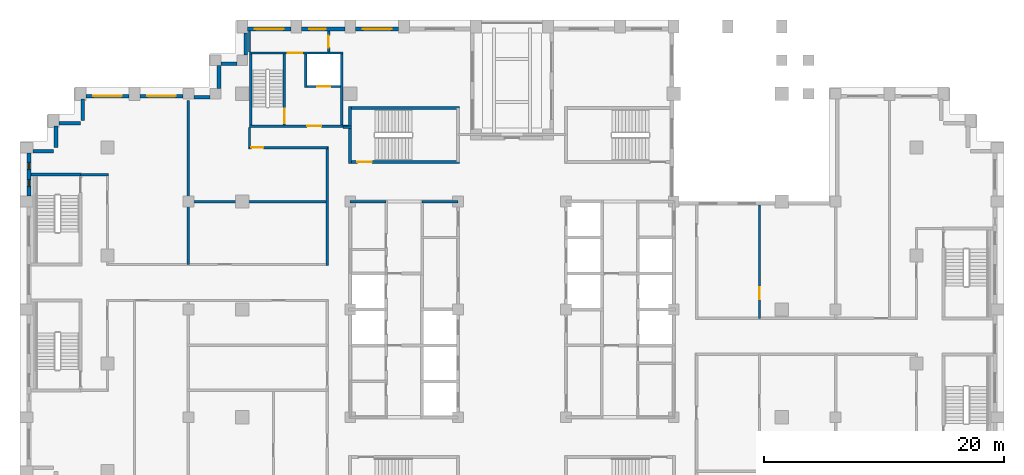
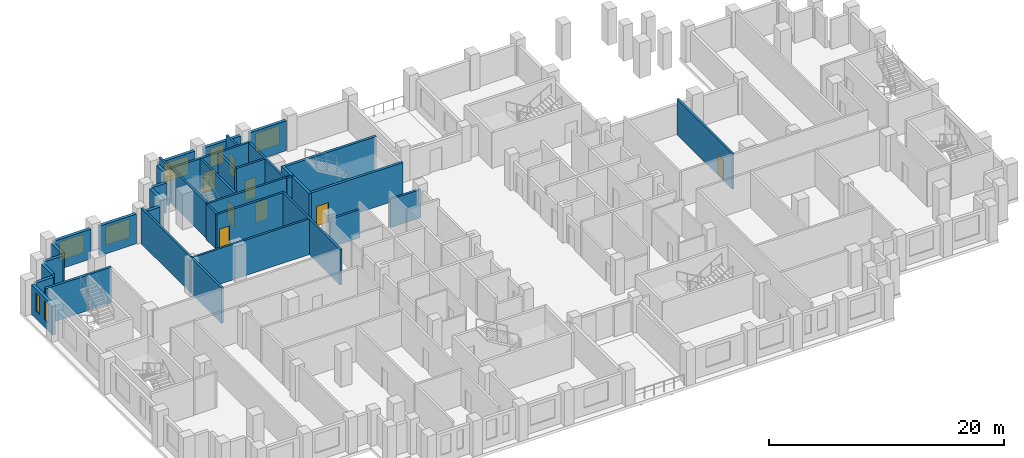
# One storey, part 6 of 12: 37 walls, 8 doors, 7 windows, 15 openings.
"""IFC4 building model written with IfcOpenShell, lengths in metres."""

from ifc_helpers import new_model, si_unit, direction, frame, frame_2d, origin, place, context, subcontext, project, spatial, rectangle, extrude, material, layer, layer_set, type_object, element, fill, save


model = new_model("IFC4")

# Units and contexts
model_context = context("Model", 3, precision=1e-05, world=origin(), true_north=direction((0.0, 1.0)))
body_context = subcontext(model_context, "Body", "Model", "MODEL_VIEW")
ifc_project = project(units=[si_unit("LENGTHUNIT", "METRE"), si_unit("AREAUNIT", "SQUARE_METRE"), si_unit("VOLUMEUNIT", "CUBIC_METRE"), si_unit("PLANEANGLEUNIT", "RADIAN"), si_unit("MASSUNIT", "GRAM", prefix="KILO")], contexts=[model_context])

# Site, building, storey
site_placement = place(None, origin())
site = spatial("IfcSite", under=ifc_project, at=site_placement, CompositionType="ELEMENT")
building_placement = place(site_placement, origin())
building = spatial("IfcBuilding", under=site, at=building_placement, Name="Corbelhall Arena Tower", CompositionType="ELEMENT")
storey_placement = place(building_placement, frame((0.0, 0.0, 126.0)))
storey = spatial("IfcBuildingStorey", under=building, at=storey_placement, Name="L23", CompositionType="ELEMENT", Elevation=126.0)

# Walls
ifc_material_1 = material(Name="Precast concrete C40/50 with granite facing", Category="masonry")
ifc_layer_1 = layer(ifc_material_1, 0.300048828125)
ifc_layer_set_1 = layer_set([ifc_layer_1], Name="EV-IW1 Infill panel 300")
wall_type_1 = type_object("IfcWallType", Name="EV-IW1 Infill panel 300", PredefinedType="SOLIDWALL", material=ifc_layer_set_1)
for number, where, z_axis, x_axis, name in (
    (1, (-35.800048828125, 17.550048828125, 0.0), (0.0, 0.0, 1.0), (0.0, -1.0, 0.0), "Infill panel IW1"),
    (2, (-37.800048828125, 15.550048828125, 0.0), (0.0, 0.0, 1.0), (1.0, 0.0, 0.0), "Infill panel IW1"),
    (3, (-38.050048828125, 15.300048828125, 0.0), (0.0, 0.0, 1.0), (0.0, -1.0, 0.0), "Infill panel IW1"),
):
    element("IfcWall", number, at=place(storey_placement, frame(where, z_axis=z_axis, x_axis=x_axis)), inside=storey, type_object=wall_type_1, Name=name, PredefinedType="SOLIDWALL", context=body_context, shape_type="SweptSolid", body=[
        extrude(rectangle(XDim=1.800048828125, YDim=0.300048828125, at=frame_2d((0.89990234375, 0.0))), origin(), (0.0, 0.0, 1.0), 3.10009765625),
    ])
wall_1_placement = place(storey_placement, frame((-39.949951171875, 13.199951171875, 0.0), z_axis=(0.0, 0.0, 1.0), x_axis=(1.0, 0.0, 0.0)))
element("IfcWall", 4, at=wall_1_placement, inside=storey, type_object=wall_type_1, Name="Infill panel IW1", PredefinedType="SOLIDWALL", context=body_context, shape_type="SweptSolid", body=[
    extrude(rectangle(XDim=1.699951171875, YDim=0.300048828125, at=frame_2d((0.85009765625, 0.0))), origin(), (0.0, 0.0, 1.0), 3.10009765625),
])
wall_2_placement = place(storey_placement, frame((-22.199951171875, 23.050048828125, 0.0), z_axis=(0.0, 0.0, 1.0), x_axis=(0.0, -1.0, 0.0)))
element("IfcWall", 5, at=wall_2_placement, inside=storey, type_object=wall_type_1, Name="Infill panel IW1", PredefinedType="SOLIDWALL", context=body_context, shape_type="SweptSolid", body=[
    extrude(rectangle(XDim=1.800048828125, YDim=0.300048828125, at=frame_2d((0.89990234375, 0.0))), origin(), (0.0, 0.0, 1.0), 3.10009765625),
])
wall_3_placement = place(storey_placement, frame((-22.949951171875, 20.5, 0.0), z_axis=(0.0, 0.0, 1.0), x_axis=(-1.0, 0.0, 0.0)))
element("IfcWall", 6, at=wall_3_placement, inside=storey, type_object=wall_type_1, Name="Infill panel IW1", PredefinedType="SOLIDWALL", context=body_context, shape_type="SweptSolid", body=[
    extrude(rectangle(XDim=1.35009765625, YDim=0.300048828125, at=frame_2d((0.675048828125, 0.0))), origin(), (0.0, 0.0, 1.0), 3.10009765625),
])
wall_4_placement = place(storey_placement, frame((-24.449951171875, 20.35009765625, 0.0), z_axis=(0.0, 0.0, 1.0), x_axis=(0.0, -1.0, 0.0)))
element("IfcWall", 7, at=wall_4_placement, inside=storey, type_object=wall_type_1, Name="Infill panel IW1", PredefinedType="SOLIDWALL", context=body_context, shape_type="SweptSolid", body=[
    extrude(rectangle(XDim=1.900146484375, YDim=0.300048828125, at=frame_2d((0.9501953125, 0.0))), origin(), (0.0, 0.0, 1.0), 3.10009765625),
])
wall_5_placement = place(storey_placement, frame((-25.199951171875, 17.699951171875, 0.0), z_axis=(0.0, 0.0, 1.0), x_axis=(-1.0, 0.0, 0.0)))
element("IfcWall", 8, at=wall_5_placement, inside=storey, type_object=wall_type_1, Name="Infill panel IW1", PredefinedType="SOLIDWALL", context=body_context, shape_type="SweptSolid", body=[
    extrude(rectangle(XDim=1.35009765625, YDim=0.300048828125, at=frame_2d((0.675048828125, 0.0))), origin(), (0.0, 0.0, 1.0), 3.10009765625),
])

# Wall, opening, window
wall_6_placement = place(storey_placement, frame((-27.449951171875, 17.800048828125, 0.0), z_axis=(0.0, 0.0, 1.0), x_axis=(-1.0, 0.0, 0.0)))
wall_6 = element("IfcWall", 9, at=wall_6_placement, inside=storey, type_object=wall_type_1, Name="Infill panel IW1", PredefinedType="SOLIDWALL", context=body_context, shape_type="SweptSolid", body=[
    extrude(rectangle(XDim=3.60009765625, YDim=0.300048828125, at=frame_2d((1.800048828125, 0.0))), origin(), (0.0, 0.0, 1.0), 3.10009765625),
])
opening_1_placement = place(wall_6_placement, frame((0.60009765625, 0.0, 0.800048828125)))
opening_1 = element("IfcOpeningElement", 10, at=opening_1_placement, cuts=wall_6, Name="Opening WN1", PredefinedType="OPENING", context=body_context, shape_type="SweptSolid", body=[
    extrude(rectangle(XDim=2.39990234375, YDim=1.949951171875, at=frame_2d((1.199951171875, 0.97509765625))), frame((0.0, 0.14990234375, 0.0), z_axis=(0.0, -1.0, 0.0), x_axis=(1.0, 0.0, 0.0)), (0.0, 0.0, 1.0), 0.300048828125),
])
ifc_material_2 = material(Name="Aluminium black anodised", Category="aluminium")
window_type_1 = type_object("IfcWindowType", Name="EV-WN1 Office window", PartitioningType="SINGLE_PANEL", PredefinedType="WINDOW", material=ifc_material_2)
window_1_placement = place(opening_1_placement, origin())
window_1 = element("IfcWindow", 11, at=window_1_placement, inside=storey, type_object=window_type_1, Name="Window WN1", OverallHeight=1.949951171875, OverallWidth=2.39990234375, PartitioningType="SINGLE_PANEL", PredefinedType="WINDOW", context=body_context, shape_type="SweptSolid", body=[
    extrude(rectangle(XDim=2.39990234375, YDim=1.949951171875, at=frame_2d((1.199951171875, 0.97509765625))), frame((0.0, 0.030029296875, 0.0), z_axis=(0.0, -1.0, 0.0), x_axis=(1.0, 0.0, 0.0)), (0.0, 0.0, 1.0), 0.06005859375),
])
fill(opening_1, window_1)

wall_7_placement = place(storey_placement, frame((-31.949951171875, 17.800048828125, 0.0), z_axis=(0.0, 0.0, 1.0), x_axis=(-1.0, 0.0, 0.0)))
wall_7 = element("IfcWall", 12, at=wall_7_placement, inside=storey, type_object=wall_type_1, Name="Infill panel IW1", PredefinedType="SOLIDWALL", context=body_context, shape_type="SweptSolid", body=[
    extrude(rectangle(XDim=3.60009765625, YDim=0.300048828125, at=frame_2d((1.800048828125, 0.0))), origin(), (0.0, 0.0, 1.0), 3.10009765625),
])
opening_2_placement = place(wall_7_placement, frame((0.60009765625, 0.0, 0.800048828125)))
opening_2 = element("IfcOpeningElement", 13, at=opening_2_placement, cuts=wall_7, Name="Opening WN1", PredefinedType="OPENING", context=body_context, shape_type="SweptSolid", body=[
    extrude(rectangle(XDim=2.39990234375, YDim=1.949951171875, at=frame_2d((1.199951171875, 0.97509765625))), frame((0.0, 0.14990234375, 0.0), z_axis=(0.0, -1.0, 0.0), x_axis=(1.0, 0.0, 0.0)), (0.0, 0.0, 1.0), 0.300048828125),
])
window_2_placement = place(opening_2_placement, origin())
window_2 = element("IfcWindow", 14, at=window_2_placement, inside=storey, type_object=window_type_1, Name="Window WN1", OverallHeight=1.949951171875, OverallWidth=2.39990234375, PartitioningType="SINGLE_PANEL", PredefinedType="WINDOW", context=body_context, shape_type="SweptSolid", body=[
    extrude(rectangle(XDim=2.39990234375, YDim=1.949951171875, at=frame_2d((1.199951171875, 0.97509765625))), frame((0.0, 0.030029296875, 0.0), z_axis=(0.0, -1.0, 0.0), x_axis=(1.0, 0.0, 0.0)), (0.0, 0.0, 1.0), 0.06005859375),
])
fill(opening_2, window_2)

# Wall, openings, windows
wall_8_placement = place(storey_placement, frame((-40.300048828125, 13.050048828125, 0.0), z_axis=(0.0, 0.0, 1.0), x_axis=(0.0, -1.0, 0.0)))
wall_8 = element("IfcWall", 15, at=wall_8_placement, inside=storey, type_object=wall_type_1, Name="Infill panel IW1", PredefinedType="SOLIDWALL", context=body_context, shape_type="SweptSolid", body=[
    extrude(rectangle(XDim=3.60009765625, YDim=0.300048828125, at=frame_2d((1.800048828125, 0.0))), origin(), (0.0, 0.0, 1.0), 3.10009765625),
])
opening_3_placement = place(wall_8_placement, frame((0.78759765625, 0.0, 0.800048828125)))
opening_3 = element("IfcOpeningElement", 16, at=opening_3_placement, cuts=wall_8, Name="Opening WN5", PredefinedType="OPENING", context=body_context, shape_type="SweptSolid", body=[
    extrude(rectangle(XDim=0.60009765625, YDim=1.949951171875, at=frame_2d((0.300048828125, 0.97509765625))), frame((0.0, 0.14990234375, 0.0), z_axis=(0.0, -1.0, 0.0), x_axis=(1.0, 0.0, 0.0)), (0.0, 0.0, 1.0), 0.300048828125),
])
opening_4_placement = place(wall_8_placement, frame((2.21240234375, 0.0, 0.800048828125)))
opening_4 = element("IfcOpeningElement", 17, at=opening_4_placement, cuts=wall_8, Name="Opening WN5", PredefinedType="OPENING", context=body_context, shape_type="SweptSolid", body=[
    extrude(rectangle(XDim=0.60009765625, YDim=1.949951171875, at=frame_2d((0.300048828125, 0.97509765625))), frame((0.0, 0.14990234375, 0.0), z_axis=(0.0, -1.0, 0.0), x_axis=(1.0, 0.0, 0.0)), (0.0, 0.0, 1.0), 0.300048828125),
])
window_type_2 = type_object("IfcWindowType", Name="EV-WN5 Office window 600", PartitioningType="SINGLE_PANEL", PredefinedType="WINDOW", material=ifc_material_2)
window_3_placement = place(opening_3_placement, origin())
window_3 = element("IfcWindow", 18, at=window_3_placement, inside=storey, type_object=window_type_2, Name="Window WN5", OverallHeight=1.949951171875, OverallWidth=0.60009765625, PartitioningType="SINGLE_PANEL", PredefinedType="WINDOW", context=body_context, shape_type="SweptSolid", body=[
    extrude(rectangle(XDim=0.60009765625, YDim=1.949951171875, at=frame_2d((0.300048828125, 0.97509765625))), frame((0.0, 0.030029296875, 0.0), z_axis=(0.0, -1.0, 0.0), x_axis=(1.0, 0.0, 0.0)), (0.0, 0.0, 1.0), 0.06005859375),
])
fill(opening_3, window_3)
window_4_placement = place(opening_4_placement, origin())
window_4 = element("IfcWindow", 19, at=window_4_placement, inside=storey, type_object=window_type_2, Name="Window WN5", OverallHeight=1.949951171875, OverallWidth=0.60009765625, PartitioningType="SINGLE_PANEL", PredefinedType="WINDOW", context=body_context, shape_type="SweptSolid", body=[
    extrude(rectangle(XDim=0.60009765625, YDim=1.949951171875, at=frame_2d((0.300048828125, 0.97509765625))), frame((0.0, 0.030029296875, 0.0), z_axis=(0.0, -1.0, 0.0), x_axis=(1.0, 0.0, 0.0)), (0.0, 0.0, 1.0), 0.06005859375),
])
fill(opening_4, window_4)

# Wall, opening, window
wall_9_placement = place(storey_placement, frame((-9.449951171875, 23.39990234375, 0.0), z_axis=(0.0, 0.0, 1.0), x_axis=(-1.0, 0.0, 0.0)))
wall_9 = element("IfcWall", 20, at=wall_9_placement, inside=storey, type_object=wall_type_1, Name="Infill panel IW1", PredefinedType="SOLIDWALL", context=body_context, shape_type="SweptSolid", body=[
    extrude(rectangle(XDim=3.60009765625, YDim=0.300048828125, at=frame_2d((1.800048828125, 0.0))), origin(), (0.0, 0.0, 1.0), 3.10009765625),
])
opening_5_placement = place(wall_9_placement, frame((0.60009765625, 0.0, 0.800048828125)))
opening_5 = element("IfcOpeningElement", 21, at=opening_5_placement, cuts=wall_9, Name="Opening WN1", PredefinedType="OPENING", context=body_context, shape_type="SweptSolid", body=[
    extrude(rectangle(XDim=2.39990234375, YDim=1.949951171875, at=frame_2d((1.199951171875, 0.97509765625))), frame((0.0, 0.14990234375, 0.0), z_axis=(0.0, -1.0, 0.0), x_axis=(1.0, 0.0, 0.0)), (0.0, 0.0, 1.0), 0.300048828125),
])
window_5_placement = place(opening_5_placement, origin())
window_5 = element("IfcWindow", 22, at=window_5_placement, inside=storey, type_object=window_type_1, Name="Window WN1", OverallHeight=1.949951171875, OverallWidth=2.39990234375, PartitioningType="SINGLE_PANEL", PredefinedType="WINDOW", context=body_context, shape_type="SweptSolid", body=[
    extrude(rectangle(XDim=2.39990234375, YDim=1.949951171875, at=frame_2d((1.199951171875, 0.97509765625))), frame((0.0, 0.030029296875, 0.0), z_axis=(0.0, -1.0, 0.0), x_axis=(1.0, 0.0, 0.0)), (0.0, 0.0, 1.0), 0.06005859375),
])
fill(opening_5, window_5)

wall_10_placement = place(storey_placement, frame((-13.949951171875, 23.39990234375, 0.0), z_axis=(0.0, 0.0, 1.0), x_axis=(-1.0, 0.0, 0.0)))
wall_10 = element("IfcWall", 23, at=wall_10_placement, inside=storey, type_object=wall_type_1, Name="Infill panel IW1", PredefinedType="SOLIDWALL", context=body_context, shape_type="SweptSolid", body=[
    extrude(rectangle(XDim=3.60009765625, YDim=0.300048828125, at=frame_2d((1.800048828125, 0.0))), origin(), (0.0, 0.0, 1.0), 3.10009765625),
])
opening_6_placement = place(wall_10_placement, frame((1.574951171875, 0.0, 0.800048828125)))
opening_6 = element("IfcOpeningElement", 24, at=opening_6_placement, cuts=wall_10, Name="Opening WN7", PredefinedType="OPENING", context=body_context, shape_type="SweptSolid", body=[
    extrude(rectangle(XDim=1.39990234375, YDim=1.949951171875, at=frame_2d((0.699951171875, 0.97509765625))), frame((0.0, 0.14990234375, 0.0), z_axis=(0.0, -1.0, 0.0), x_axis=(1.0, 0.0, 0.0)), (0.0, 0.0, 1.0), 0.300048828125),
])
window_type_3 = type_object("IfcWindowType", Name="EV-WN7 Office window 1400", PartitioningType="SINGLE_PANEL", PredefinedType="WINDOW", material=ifc_material_2)
window_6_placement = place(opening_6_placement, origin())
window_6 = element("IfcWindow", 25, at=window_6_placement, inside=storey, type_object=window_type_3, Name="Window WN7", OverallHeight=1.949951171875, OverallWidth=1.39990234375, PartitioningType="SINGLE_PANEL", PredefinedType="WINDOW", context=body_context, shape_type="SweptSolid", body=[
    extrude(rectangle(XDim=1.39990234375, YDim=1.949951171875, at=frame_2d((0.699951171875, 0.97509765625))), frame((0.0, 0.030029296875, 0.0), z_axis=(0.0, -1.0, 0.0), x_axis=(1.0, 0.0, 0.0)), (0.0, 0.0, 1.0), 0.06005859375),
])
fill(opening_6, window_6)

wall_11_placement = place(storey_placement, frame((-18.449951171875, 23.39990234375, 0.0), z_axis=(0.0, 0.0, 1.0), x_axis=(-1.0, 0.0, 0.0)))
wall_11 = element("IfcWall", 26, at=wall_11_placement, inside=storey, type_object=wall_type_1, Name="Infill panel IW1", PredefinedType="SOLIDWALL", context=body_context, shape_type="SweptSolid", body=[
    extrude(rectangle(XDim=3.60009765625, YDim=0.300048828125, at=frame_2d((1.800048828125, 0.0))), origin(), (0.0, 0.0, 1.0), 3.10009765625),
])
opening_7_placement = place(wall_11_placement, frame((0.60009765625, 0.0, 0.800048828125)))
opening_7 = element("IfcOpeningElement", 27, at=opening_7_placement, cuts=wall_11, Name="Opening WN1", PredefinedType="OPENING", context=body_context, shape_type="SweptSolid", body=[
    extrude(rectangle(XDim=2.39990234375, YDim=1.949951171875, at=frame_2d((1.199951171875, 0.97509765625))), frame((0.0, 0.14990234375, 0.0), z_axis=(0.0, -1.0, 0.0), x_axis=(1.0, 0.0, 0.0)), (0.0, 0.0, 1.0), 0.300048828125),
])
window_7_placement = place(opening_7_placement, origin())
window_7 = element("IfcWindow", 28, at=window_7_placement, inside=storey, type_object=window_type_1, Name="Window WN1", OverallHeight=1.949951171875, OverallWidth=2.39990234375, PartitioningType="SINGLE_PANEL", PredefinedType="WINDOW", context=body_context, shape_type="SweptSolid", body=[
    extrude(rectangle(XDim=2.39990234375, YDim=1.949951171875, at=frame_2d((1.199951171875, 0.97509765625))), frame((0.0, 0.030029296875, 0.0), z_axis=(0.0, -1.0, 0.0), x_axis=(1.0, 0.0, 0.0)), (0.0, 0.0, 1.0), 0.06005859375),
])
fill(opening_7, window_7)

# Walls
ifc_material_3 = material(Name="Gypsum board on steel stud, acoustic", Category="steel")
ifc_layer_2 = layer(ifc_material_3, 0.199951171875)
ifc_layer_set_2 = layer_set([ifc_layer_2], Name="IN-W-DM200")
wall_type_2 = type_object("IfcWallType", Name="IN-W-DM200", PredefinedType="PARTITIONING", material=ifc_layer_set_2)
wall_12_placement = place(storey_placement, frame((-36.0, 11.25, 0.0), z_axis=(0.0, 0.0, 1.0), x_axis=(1.0, 0.0, 0.0)))
element("IfcWall", 29, at=wall_12_placement, inside=storey, type_object=wall_type_2, Name="Partition 001", PredefinedType="PARTITIONING", context=body_context, shape_type="SweptSolid", body=[
    extrude(rectangle(XDim=2.35009765625, YDim=0.199951171875, at=frame_2d((1.175048828125, 0.0))), origin(), (0.0, 0.0, 1.0), 3.699951171875),
])
wall_13_placement = place(storey_placement, frame((-27.10009765625, 9.0, 0.0), z_axis=(0.0, 0.0, 1.0), x_axis=(1.0, 0.0, 0.0)))
element("IfcWall", 30, at=wall_13_placement, inside=storey, type_object=wall_type_2, Name="Partition 010", PredefinedType="PARTITIONING", context=body_context, shape_type="SweptSolid", body=[
    extrude(rectangle(XDim=11.7001953125, YDim=0.199951171875, at=frame_2d((5.85009765625, 0.0))), origin(), (0.0, 0.0, 1.0), 3.699951171875),
])
wall_14_placement = place(storey_placement, frame((-27.0, 3.75, 0.0), z_axis=(0.0, 0.0, 1.0), x_axis=(0.0, 1.0, 0.0)))
element("IfcWall", 31, at=wall_14_placement, inside=storey, type_object=wall_type_2, Name="Partition 012", PredefinedType="PARTITIONING", context=body_context, shape_type="SweptSolid", body=[
    extrude(rectangle(XDim=13.699951171875, YDim=0.199951171875, at=frame_2d((6.85009765625, 0.0))), origin(), (0.0, 0.0, 1.0), 3.699951171875),
])
wall_15_placement = place(storey_placement, frame((-21.89990234375, 13.5, 0.0), z_axis=(0.0, 0.0, 1.0), x_axis=(0.0, 1.0, 0.0)))
element("IfcWall", 32, at=wall_15_placement, inside=storey, type_object=wall_type_2, Name="Partition 013", PredefinedType="PARTITIONING", context=body_context, shape_type="SweptSolid", body=[
    extrude(rectangle(XDim=1.699951171875, YDim=0.199951171875, at=frame_2d((0.85009765625, 0.0))), origin(), (0.0, 0.0, 1.0), 3.699951171875),
])
wall_16_placement = place(storey_placement, frame((-21.89990234375, 21.5, 0.0), z_axis=(0.0, 0.0, 1.0), x_axis=(0.0, 1.0, 0.0)))
element("IfcWall", 33, at=wall_16_placement, inside=storey, type_object=wall_type_2, Name="Partition 014", PredefinedType="PARTITIONING", context=body_context, shape_type="SweptSolid", body=[
    extrude(rectangle(XDim=1.75, YDim=0.199951171875, at=frame_2d((0.875, 0.0))), origin(), (0.0, 0.0, 1.0), 3.699951171875),
])
wall_17_placement = place(storey_placement, frame((-15.39990234375, 3.64990234375, 0.0), z_axis=(0.0, 0.0, 1.0), x_axis=(0.0, 1.0, 0.0)))
element("IfcWall", 34, at=wall_17_placement, inside=storey, type_object=wall_type_2, Name="Partition 018", PredefinedType="PARTITIONING", context=body_context, shape_type="SweptSolid", body=[
    extrude(rectangle(XDim=9.9501953125, YDim=0.199951171875, at=frame_2d((4.97509765625, 0.0))), origin(), (0.0, 0.0, 1.0), 3.699951171875),
])

# Wall, opening, door
wall_18_placement = place(storey_placement, frame((-15.39990234375, 13.5, 0.0), z_axis=(0.0, 0.0, 1.0), x_axis=(-1.0, 0.0, 0.0)))
wall_18 = element("IfcWall", 35, at=wall_18_placement, inside=storey, type_object=wall_type_2, Name="Partition 019", PredefinedType="PARTITIONING", context=body_context, shape_type="SweptSolid", body=[
    extrude(rectangle(XDim=6.60009765625, YDim=0.199951171875, at=frame_2d((3.300048828125, 0.0))), origin(), (0.0, 0.0, 1.0), 3.699951171875),
])
opening_8_placement = place(wall_18_placement, frame((5.35009765625, 0.0, 0.0)))
opening_8 = element("IfcOpeningElement", 36, at=opening_8_placement, cuts=wall_18, Name="Opening 06027", PredefinedType="OPENING", context=body_context, shape_type="SweptSolid", body=[
    extrude(rectangle(XDim=1.0, YDim=2.10009765625, at=frame_2d((0.5, 1.050048828125))), frame((0.0, 0.10009765625, 0.0), z_axis=(0.0, -1.0, 0.0), x_axis=(1.0, 0.0, 0.0)), (0.0, 0.0, 1.0), 0.199951171875),
])
ifc_material_4 = material(Name="Steel door set", Category="steel")
door_type_1 = type_object("IfcDoorType", Name="IN-D-SW100", OperationType="NOTDEFINED", PredefinedType="DOOR", material=ifc_material_4)
door_1_placement = place(opening_8_placement, origin())
door_1 = element("IfcDoor", 37, at=door_1_placement, inside=storey, type_object=door_type_1, Name="Door 027", OperationType="SINGLE_SWING_RIGHT", OverallHeight=2.10009765625, OverallWidth=1.0, PredefinedType="DOOR", context=body_context, shape_type="SweptSolid", body=[
    extrude(rectangle(XDim=1.0, YDim=2.10009765625, at=frame_2d((0.5, 1.050048828125))), frame((0.0, 0.02490234375, 0.0), z_axis=(0.0, -1.0, 0.0), x_axis=(1.0, 0.0, 0.0)), (0.0, 0.0, 1.0), 0.050048828125),
])
fill(opening_8, door_1)

wall_19_placement = place(storey_placement, frame((-15.300048828125, 23.25, 0.0), z_axis=(0.0, 0.0, 1.0), x_axis=(0.0, -1.0, 0.0)))
wall_19 = element("IfcWall", 38, at=wall_19_placement, inside=storey, type_object=wall_type_2, Name="Partition 020", PredefinedType="PARTITIONING", context=body_context, shape_type="SweptSolid", body=[
    extrude(rectangle(XDim=1.75, YDim=0.199951171875, at=frame_2d((0.875, 0.0))), origin(), (0.0, 0.0, 1.0), 3.699951171875),
])
opening_9_placement = place(wall_19_placement, frame((0.39990234375, 0.0, 0.0)))
opening_9 = element("IfcOpeningElement", 39, at=opening_9_placement, cuts=wall_19, Name="Opening 06023", PredefinedType="OPENING", context=body_context, shape_type="SweptSolid", body=[
    extrude(rectangle(XDim=1.0, YDim=2.10009765625, at=frame_2d((0.5, 1.050048828125))), frame((0.0, 0.10009765625, 0.0), z_axis=(0.0, -1.0, 0.0), x_axis=(1.0, 0.0, 0.0)), (0.0, 0.0, 1.0), 0.199951171875),
])
door_2_placement = place(opening_9_placement, origin())
door_2 = element("IfcDoor", 40, at=door_2_placement, inside=storey, type_object=door_type_1, Name="Door 023", OperationType="SINGLE_SWING_RIGHT", OverallHeight=2.10009765625, OverallWidth=1.0, PredefinedType="DOOR", context=body_context, shape_type="SweptSolid", body=[
    extrude(rectangle(XDim=1.0, YDim=2.10009765625, at=frame_2d((0.5, 1.050048828125))), frame((0.0, 0.02490234375, 0.0), z_axis=(0.0, -1.0, 0.0), x_axis=(1.0, 0.0, 0.0)), (0.0, 0.0, 1.0), 0.050048828125),
])
fill(opening_9, door_2)

# Wall
wall_20_placement = place(storey_placement, frame((-14.10009765625, 15.199951171875, 0.0), z_axis=(0.0, 0.0, 1.0), x_axis=(1.0, 0.0, 0.0)))
element("IfcWall", 41, at=wall_20_placement, inside=storey, type_object=wall_type_2, Name="Partition 021", PredefinedType="PARTITIONING", context=body_context, shape_type="SweptSolid", body=[
    extrude(rectangle(XDim=0.72509765625, YDim=0.199951171875, at=frame_2d((0.362548828125, 0.0))), origin(), (0.0, 0.0, 1.0), 3.699951171875),
])

# Wall, opening, door
wall_21_placement = place(storey_placement, frame((20.64990234375, 8.699951171875, 0.0), z_axis=(0.0, 0.0, 1.0), x_axis=(0.0, -1.0, 0.0)))
wall_21 = element("IfcWall", 42, at=wall_21_placement, inside=storey, type_object=wall_type_2, Name="Partition 035", PredefinedType="PARTITIONING", context=body_context, shape_type="SweptSolid", body=[
    extrude(rectangle(XDim=9.449951171875, YDim=0.199951171875, at=frame_2d((4.72509765625, 0.0))), origin(), (0.0, 0.0, 1.0), 3.699951171875),
])
opening_10_placement = place(wall_21_placement, frame((6.85009765625, 0.0, 0.0)))
opening_10 = element("IfcOpeningElement", 43, at=opening_10_placement, cuts=wall_21, Name="Opening 06034", PredefinedType="OPENING", context=body_context, shape_type="SweptSolid", body=[
    extrude(rectangle(XDim=1.0, YDim=2.10009765625, at=frame_2d((0.5, 1.050048828125))), frame((0.0, 0.10009765625, 0.0), z_axis=(0.0, -1.0, 0.0), x_axis=(1.0, 0.0, 0.0)), (0.0, 0.0, 1.0), 0.199951171875),
])
door_3_placement = place(opening_10_placement, origin())
door_3 = element("IfcDoor", 44, at=door_3_placement, inside=storey, type_object=door_type_1, Name="Door 034", OperationType="SINGLE_SWING_LEFT", OverallHeight=2.10009765625, OverallWidth=1.0, PredefinedType="DOOR", context=body_context, shape_type="SweptSolid", body=[
    extrude(rectangle(XDim=1.0, YDim=2.10009765625, at=frame_2d((0.5, 1.050048828125))), frame((0.0, 0.02490234375, 0.0), z_axis=(0.0, -1.0, 0.0), x_axis=(1.0, 0.0, 0.0)), (0.0, 0.0, 1.0), 0.050048828125),
])
fill(opening_10, door_3)

ifc_material_5 = material(Name="Concrete C40/50", Category="concrete")
ifc_layer_3 = layer(ifc_material_5, 0.199951171875)
ifc_layer_set_3 = layer_set([ifc_layer_3], Name="IN-W-EAR200")
wall_type_3 = type_object("IfcWallType", Name="IN-W-EAR200", PredefinedType="SOLIDWALL", material=ifc_layer_set_3)
wall_22_placement = place(storey_placement, frame((-21.89990234375, 15.300048828125, 0.0), z_axis=(0.0, 0.0, 1.0), x_axis=(1.0, 0.0, 0.0)))
wall_22 = element("IfcWall", 45, at=wall_22_placement, inside=storey, type_object=wall_type_3, Name="Fire service turret wall south", PredefinedType="SOLIDWALL", context=body_context, shape_type="SweptSolid", body=[
    extrude(rectangle(XDim=8.27490234375, YDim=0.199951171875, at=frame_2d((4.137451171875, 0.0))), origin(), (0.0, 0.0, 1.0), 3.699951171875),
])
opening_11_placement = place(wall_22_placement, frame((4.800048828125, 0.0, 0.0)))
opening_11 = element("IfcOpeningElement", 46, at=opening_11_placement, cuts=wall_22, Name="Opening E062", PredefinedType="OPENING", context=body_context, shape_type="SweptSolid", body=[
    extrude(rectangle(XDim=1.199951171875, YDim=2.10009765625, at=frame_2d((0.60009765625, 1.050048828125))), frame((0.0, 0.10009765625, 0.0), z_axis=(0.0, -1.0, 0.0), x_axis=(1.0, 0.0, 0.0)), (0.0, 0.0, 1.0), 0.199951171875),
])
door_type_2 = type_object("IfcDoorType", Name="IN-D-ST120", OperationType="NOTDEFINED", PredefinedType="DOOR", material=ifc_material_4)
door_4_placement = place(opening_11_placement, origin())
door_4 = element("IfcDoor", 47, at=door_4_placement, inside=storey, type_object=door_type_2, Name="Door from fire service lift lobby to circulation", OperationType="SINGLE_SWING_RIGHT", OverallHeight=2.10009765625, OverallWidth=1.199951171875, PredefinedType="DOOR", context=body_context, shape_type="SweptSolid", body=[
    extrude(rectangle(XDim=1.199951171875, YDim=2.10009765625, at=frame_2d((0.60009765625, 1.050048828125))), frame((0.0, 0.02490234375, 0.0), z_axis=(0.0, -1.0, 0.0), x_axis=(1.0, 0.0, 0.0)), (0.0, 0.0, 1.0), 0.050048828125),
])
fill(opening_11, door_4)

wall_23_placement = place(storey_placement, frame((-21.89990234375, 21.39990234375, 0.0), z_axis=(0.0, 0.0, 1.0), x_axis=(1.0, 0.0, 0.0)))
wall_23 = element("IfcWall", 48, at=wall_23_placement, inside=storey, type_object=wall_type_3, Name="Fire service turret wall north", PredefinedType="SOLIDWALL", context=body_context, shape_type="SweptSolid", body=[
    extrude(rectangle(XDim=7.7998046875, YDim=0.199951171875, at=frame_2d((3.89990234375, 0.0))), origin(), (0.0, 0.0, 1.0), 3.699951171875),
])
opening_12_placement = place(wall_23_placement, frame((3.199951171875, 0.0, 0.0)))
opening_12 = element("IfcOpeningElement", 49, at=opening_12_placement, cuts=wall_23, Name="Opening E063", PredefinedType="OPENING", context=body_context, shape_type="SweptSolid", body=[
    extrude(rectangle(XDim=1.199951171875, YDim=2.10009765625, at=frame_2d((0.60009765625, 1.050048828125))), frame((0.0, 0.10009765625, 0.0), z_axis=(0.0, -1.0, 0.0), x_axis=(1.0, 0.0, 0.0)), (0.0, 0.0, 1.0), 0.199951171875),
])
door_5_placement = place(opening_12_placement, origin())
door_5 = element("IfcDoor", 50, at=door_5_placement, inside=storey, type_object=door_type_2, Name="Door from fire service lift lobby to the north gallery", OperationType="SINGLE_SWING_LEFT", OverallHeight=2.10009765625, OverallWidth=1.199951171875, PredefinedType="DOOR", context=body_context, shape_type="SweptSolid", body=[
    extrude(rectangle(XDim=1.199951171875, YDim=2.10009765625, at=frame_2d((0.60009765625, 1.050048828125))), frame((0.0, 0.02490234375, 0.0), z_axis=(0.0, -1.0, 0.0), x_axis=(1.0, 0.0, 0.0)), (0.0, 0.0, 1.0), 0.050048828125),
])
fill(opening_12, door_5)

# Walls
for number, where, z_axis, x_axis, name in (
    (51, (-21.800048828125, 15.39990234375, 0.0), (0.0, 0.0, 1.0), (0.0, 1.0, 0.0), "Fire service turret wall west"),
    (52, (-14.199951171875, 15.39990234375, 0.0), (0.0, 0.0, 1.0), (0.0, 1.0, 0.0), "Fire service turret wall east"),
):
    element("IfcWall", number, at=place(storey_placement, frame(where, z_axis=z_axis, x_axis=x_axis)), inside=storey, type_object=wall_type_3, Name=name, PredefinedType="SOLIDWALL", context=body_context, shape_type="SweptSolid", body=[
        extrude(rectangle(XDim=5.900146484375, YDim=0.199951171875, at=frame_2d((2.9501953125, 0.0))), origin(), (0.0, 0.0, 1.0), 3.699951171875),
    ])

# Wall, opening, door
wall_24_placement = place(storey_placement, frame((-18.989990234375, 15.39990234375, 0.0), z_axis=(0.0, 0.0, 1.0), x_axis=(0.0, 1.0, 0.0)))
wall_24 = element("IfcWall", 53, at=wall_24_placement, inside=storey, type_object=wall_type_3, Name="Fire service turret wall stair", PredefinedType="SOLIDWALL", context=body_context, shape_type="SweptSolid", body=[
    extrude(rectangle(XDim=5.900146484375, YDim=0.199951171875, at=frame_2d((2.9501953125, 0.0))), origin(), (0.0, 0.0, 1.0), 3.699951171875),
])
opening_13_placement = place(wall_24_placement, frame((0.14990234375, 0.0, 0.0)))
opening_13 = element("IfcOpeningElement", 54, at=opening_13_placement, cuts=wall_24, Name="Opening E061", PredefinedType="OPENING", context=body_context, shape_type="SweptSolid", body=[
    extrude(rectangle(XDim=1.199951171875, YDim=2.10009765625, at=frame_2d((0.60009765625, 1.050048828125))), frame((0.0, 0.10009765625, 0.0), z_axis=(0.0, -1.0, 0.0), x_axis=(1.0, 0.0, 0.0)), (0.0, 0.0, 1.0), 0.199951171875),
])
door_6_placement = place(opening_13_placement, origin())
door_6 = element("IfcDoor", 55, at=door_6_placement, inside=storey, type_object=door_type_2, Name="Stair door to fire service lobby", OperationType="SINGLE_SWING_LEFT", OverallHeight=2.10009765625, OverallWidth=1.199951171875, PredefinedType="DOOR", context=body_context, shape_type="SweptSolid", body=[
    extrude(rectangle(XDim=1.199951171875, YDim=2.10009765625, at=frame_2d((0.60009765625, 1.050048828125))), frame((0.0, 0.02490234375, 0.0), z_axis=(0.0, -1.0, 0.0), x_axis=(1.0, 0.0, 0.0)), (0.0, 0.0, 1.0), 0.050048828125),
])
fill(opening_13, door_6)

# Wall
wall_25_placement = place(storey_placement, frame((-17.199951171875, 18.5, 0.0), z_axis=(0.0, 0.0, 1.0), x_axis=(0.0, 1.0, 0.0)))
element("IfcWall", 56, at=wall_25_placement, inside=storey, type_object=wall_type_3, Name="Fire service turret wall hoistway west", PredefinedType="SOLIDWALL", context=body_context, shape_type="SweptSolid", body=[
    extrude(rectangle(XDim=2.800048828125, YDim=0.199951171875, at=frame_2d((1.39990234375, 0.0))), origin(), (0.0, 0.0, 1.0), 3.699951171875),
])

# Wall, opening, door
wall_26_placement = place(storey_placement, frame((-17.10009765625, 18.60009765625, 0.0), z_axis=(0.0, 0.0, 1.0), x_axis=(1.0, 0.0, 0.0)))
wall_26 = element("IfcWall", 57, at=wall_26_placement, inside=storey, type_object=wall_type_3, Name="Fire service turret wall hoistway south", PredefinedType="SOLIDWALL", context=body_context, shape_type="SweptSolid", body=[
    extrude(rectangle(XDim=2.800048828125, YDim=0.199951171875, at=frame_2d((1.39990234375, 0.0))), origin(), (0.0, 0.0, 1.0), 3.699951171875),
])
opening_14_placement = place(wall_26_placement, frame((0.85009765625, 0.0, 0.0)))
opening_14 = element("IfcOpeningElement", 58, at=opening_14_placement, cuts=wall_26, Name="Opening LD", PredefinedType="OPENING", context=body_context, shape_type="SweptSolid", body=[
    extrude(rectangle(XDim=1.10009765625, YDim=2.10009765625, at=frame_2d((0.550048828125, 1.050048828125))), frame((0.0, 0.10009765625, 0.0), z_axis=(0.0, -1.0, 0.0), x_axis=(1.0, 0.0, 0.0)), (0.0, 0.0, 1.0), 0.199951171875),
])
door_type_3 = type_object("IfcDoorType", Name="IN-D-LD110", OperationType="NOTDEFINED", PredefinedType="DOOR", material=ifc_material_4)
door_7_placement = place(opening_14_placement, origin())
door_7 = element("IfcDoor", 59, at=door_7_placement, inside=storey, type_object=door_type_3, Name="Landing door FS1", OperationType="SLIDING_TO_LEFT", OverallHeight=2.10009765625, OverallWidth=1.10009765625, PredefinedType="DOOR", context=body_context, shape_type="SweptSolid", body=[
    extrude(rectangle(XDim=1.10009765625, YDim=2.10009765625, at=frame_2d((0.550048828125, 1.050048828125))), frame((0.0, 0.02490234375, 0.0), z_axis=(0.0, -1.0, 0.0), x_axis=(1.0, 0.0, 0.0)), (0.0, 0.0, 1.0), 0.050048828125),
])
fill(opening_14, door_7)

# Walls
ifc_material_6 = material(Name="Concrete block wall", Category="concrete")
ifc_layer_4 = layer(ifc_material_6, 0.199951171875)
ifc_layer_set_4 = layer_set([ifc_layer_4], Name="IN-W-RS200 under beam 762 mm")
wall_type_4 = type_object("IfcWallType", Name="IN-W-RS200 under beam 762 mm", PredefinedType="SOLIDWALL", material=ifc_layer_set_4)
for number, where, z_axis, x_axis, name in (
    (60, (-13.5, 9.0, 0.0), (0.0, 0.0, 1.0), (1.0, 0.0, 0.0), "Partition 047"),
    (61, (-7.5, 9.0, 0.0), (0.0, 0.0, 1.0), (1.0, 0.0, 0.0), "Partition 052"),
):
    element("IfcWall", number, at=place(storey_placement, frame(where, z_axis=z_axis, x_axis=x_axis)), inside=storey, type_object=wall_type_4, Name=name, PredefinedType="SOLIDWALL", context=body_context, shape_type="SweptSolid", body=[
        extrude(rectangle(XDim=3.0, YDim=0.199951171875, at=frame_2d((1.5, 0.0))), origin(), (0.0, 0.0, 1.0), 2.93798828125),
    ])
ifc_layer_5 = layer(ifc_material_5, 0.25)
ifc_layer_set_5 = layer_set([ifc_layer_5], Name="IN-W-ST250")
wall_type_5 = type_object("IfcWallType", Name="IN-W-ST250", PredefinedType="SOLIDWALL", material=ifc_layer_set_5)
wall_27_placement = place(storey_placement, frame((-40.14990234375, 11.25, 0.0), z_axis=(0.0, 0.0, 1.0), x_axis=(1.0, 0.0, 0.0)))
element("IfcWall", 62, at=wall_27_placement, inside=storey, type_object=wall_type_5, Name="Shaft wall 085", PredefinedType="SOLIDWALL", context=body_context, shape_type="SweptSolid", body=[
    extrude(rectangle(XDim=4.14990234375, YDim=0.25, at=frame_2d((2.074951171875, 0.0))), origin(), (0.0, 0.0, 1.0), 3.699951171875),
])

# Wall, opening, door
wall_28_placement = place(storey_placement, frame((-13.5, 12.300048828125, 0.0), z_axis=(0.0, 0.0, 1.0), x_axis=(1.0, 0.0, 0.0)))
wall_28 = element("IfcWall", 63, at=wall_28_placement, inside=storey, type_object=wall_type_5, Name="Shaft wall 091", PredefinedType="SOLIDWALL", context=body_context, shape_type="SweptSolid", body=[
    extrude(rectangle(XDim=9.125, YDim=0.25, at=frame_2d((4.5625, 0.0))), origin(), (0.0, 0.0, 1.0), 3.699951171875),
])
opening_15_placement = place(wall_28_placement, frame((0.60009765625, 0.0, 0.0)))
opening_15 = element("IfcOpeningElement", 64, at=opening_15_placement, cuts=wall_28, Name="Opening 06015", PredefinedType="OPENING", context=body_context, shape_type="SweptSolid", body=[
    extrude(rectangle(XDim=1.199951171875, YDim=2.10009765625, at=frame_2d((0.60009765625, 1.050048828125))), frame((0.0, 0.125, 0.0), z_axis=(0.0, -1.0, 0.0), x_axis=(1.0, 0.0, 0.0)), (0.0, 0.0, 1.0), 0.25),
])
door_8_placement = place(opening_15_placement, origin())
door_8 = element("IfcDoor", 65, at=door_8_placement, inside=storey, type_object=door_type_2, Name="Door 015", OperationType="SINGLE_SWING_RIGHT", OverallHeight=2.10009765625, OverallWidth=1.199951171875, PredefinedType="DOOR", context=body_context, shape_type="SweptSolid", body=[
    extrude(rectangle(XDim=1.199951171875, YDim=2.10009765625, at=frame_2d((0.60009765625, 1.050048828125))), frame((0.0, 0.02490234375, 0.0), z_axis=(0.0, -1.0, 0.0), x_axis=(1.0, 0.0, 0.0)), (0.0, 0.0, 1.0), 0.050048828125),
])
fill(opening_15, door_8)

# Walls
wall_29_placement = place(storey_placement, frame((-13.5, 12.175048828125, 0.0), z_axis=(0.0, 0.0, 1.0), x_axis=(0.0, 1.0, 0.0)))
element("IfcWall", 66, at=wall_29_placement, inside=storey, type_object=wall_type_5, Name="Shaft wall 092", PredefinedType="SOLIDWALL", context=body_context, shape_type="SweptSolid", body=[
    extrude(rectangle(XDim=4.75, YDim=0.25, at=frame_2d((2.375, 0.0))), origin(), (0.0, 0.0, 1.0), 3.699951171875),
])
wall_30_placement = place(storey_placement, frame((-13.5, 16.800048828125, 0.0), z_axis=(0.0, 0.0, 1.0), x_axis=(1.0, 0.0, 0.0)))
element("IfcWall", 67, at=wall_30_placement, inside=storey, type_object=wall_type_5, Name="Shaft wall 093", PredefinedType="SOLIDWALL", context=body_context, shape_type="SweptSolid", body=[
    extrude(rectangle(XDim=9.125, YDim=0.25, at=frame_2d((4.5625, 0.0))), origin(), (0.0, 0.0, 1.0), 3.699951171875),
])

save(model, "model.ifc")
